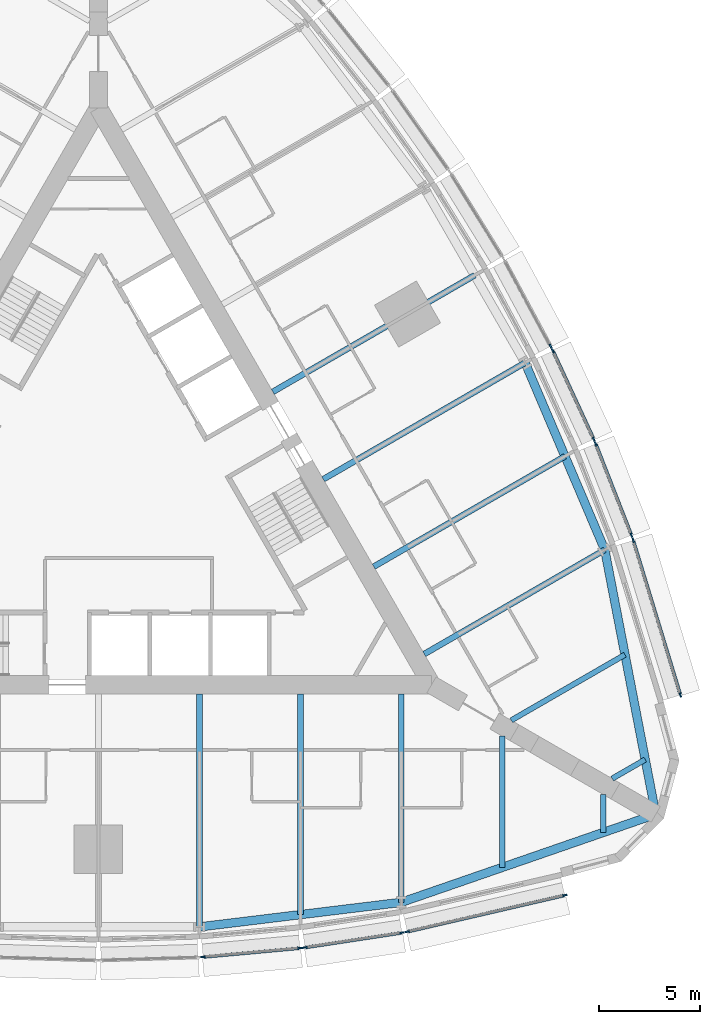
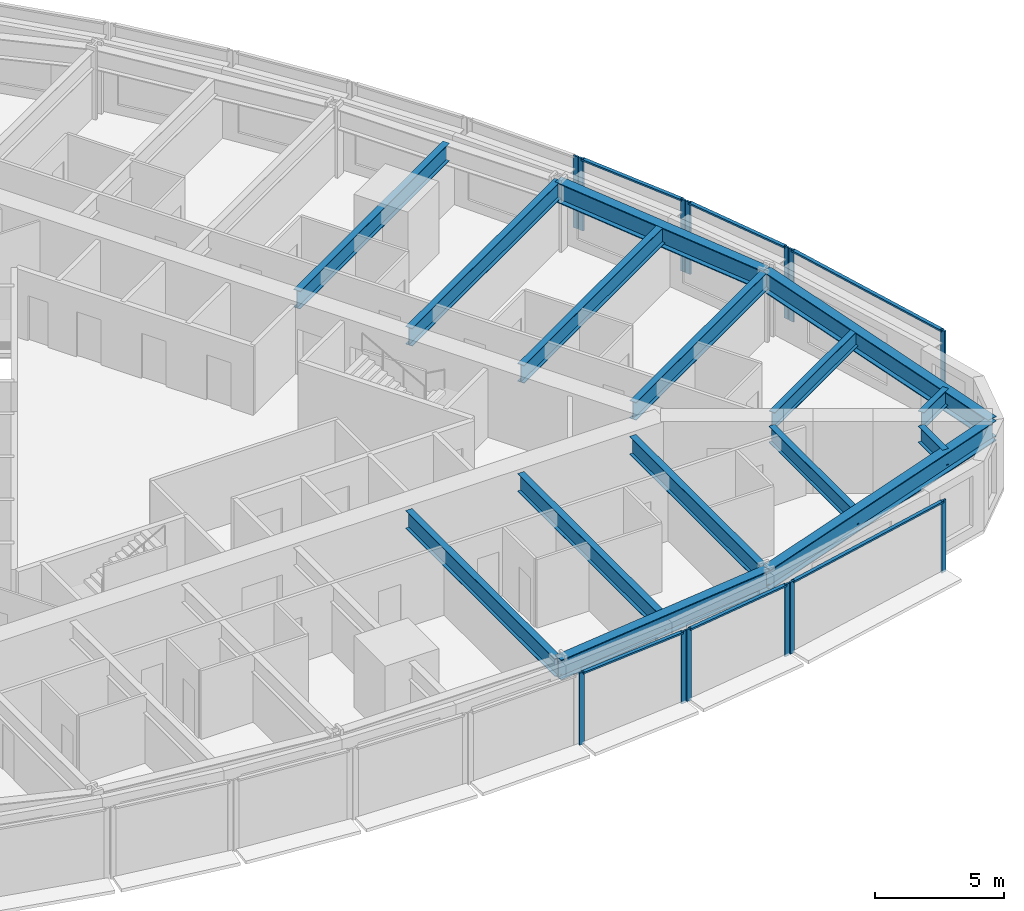
# One storey, part 3 of 14: 19 members, 15 beams, 7 elements without a shape of their own.
"""IFC4 building model written with IfcOpenShell, lengths in metres."""

from ifc_helpers import new_model, si_unit, direction, frame, origin, origin_2d, place, context, subcontext, project, spatial, rectangle, i_section, extrude, material, material_profile, profile_set, type_object, element, aggregate, save


model = new_model("IFC4")

# Units and contexts
model_context = context("Model", 3, precision=1e-05, world=origin(), true_north=direction((0.0, 1.0)))
body_context = subcontext(model_context, "Body", "Model", "MODEL_VIEW")
ifc_project = project(units=[si_unit("LENGTHUNIT", "METRE"), si_unit("AREAUNIT", "SQUARE_METRE"), si_unit("VOLUMEUNIT", "CUBIC_METRE"), si_unit("PLANEANGLEUNIT", "RADIAN"), si_unit("MASSUNIT", "GRAM", prefix="KILO")], contexts=[model_context])

# Site, building, storey
site_placement = place(None, origin())
site = spatial("IfcSite", under=ifc_project, at=site_placement, CompositionType="ELEMENT")
building_placement = place(site_placement, origin())
building = spatial("IfcBuilding", under=site, at=building_placement, Name="Trikona Tower", CompositionType="ELEMENT")
storey_placement = place(building_placement, frame((0.0, 0.0, 35.300048828125)))
storey = spatial("IfcBuildingStorey", under=building, at=storey_placement, Name="L07", CompositionType="ELEMENT", Elevation=35.300048828125)

# Curtain wall, members
ifc_material_1 = material(Name="Aluminium curtain wall system", Category="aluminium")
curtain_wall_type = type_object("IfcCurtainWallType", Name="Curtain wall DS1", PredefinedType="NOTDEFINED", material=ifc_material_1)
curtain_wall_1_placement = place(storey_placement, origin())
curtain_wall_1 = element("IfcCurtainWall", 1, at=curtain_wall_1_placement, inside=storey, type_object=curtain_wall_type, Name="Curtain wall DS1 L07", PredefinedType="NOTDEFINED")
ifc_material_2 = material(Name="Aluminium mullion, pale anodised", Category="aluminium")
ifc_material_profile_1 = material_profile(ifc_material_2, rectangle(XDim=0.080078125, YDim=0.219970703125, at=origin_2d()), Name="MUL-DS1")
ifc_profile_set_1 = profile_set([ifc_material_profile_1], Name="Aluminium mullion, pale anodised")
member_type_1 = type_object("IfcMemberType", Name="Mullion DS1 80x220", PredefinedType="MULLION", material=ifc_profile_set_1)
member_1_placement = place(storey_placement, frame((5.181396484375, -23.007568359375, 0.0), z_axis=(0.0, 0.0, 1.0), x_axis=(-0.090923932737, 0.995857840485, 0.0)))
member_1 = element("IfcMember", 2, at=member_1_placement, type_object=member_type_1, Name="CW-DS1 mullion 1", PredefinedType="MULLION", context=body_context, shape_type="SweptSolid", body=[
    extrude(rectangle(XDim=0.080078125, YDim=0.219970703125, at=origin_2d()), origin(), (0.0, 0.0, 1.0), 3.39990234375),
])
member_2_placement = place(storey_placement, frame((9.982177734375, -22.5693359375, 0.0), z_axis=(0.0, 0.0, 1.0), x_axis=(-0.090923932737, 0.995857840485, 0.0)))
member_2 = element("IfcMember", 3, at=member_2_placement, type_object=member_type_1, Name="CW-DS1 mullion 2", PredefinedType="MULLION", context=body_context, shape_type="SweptSolid", body=[
    extrude(rectangle(XDim=0.080078125, YDim=0.219970703125, at=origin_2d()), origin(), (0.0, 0.0, 1.0), 3.39990234375),
])

curtain_wall_2_placement = place(storey_placement, origin())
curtain_wall_2 = element("IfcCurtainWall", 4, at=curtain_wall_2_placement, inside=storey, type_object=curtain_wall_type, Name="Curtain wall DS1 L07", PredefinedType="NOTDEFINED")
member_3_placement = place(storey_placement, frame((10.234130859375, -22.53857421875, 0.0), z_axis=(0.0, 0.0, 1.0), x_axis=(-0.150437693845, 0.988619492156, 0.0)))
member_3 = element("IfcMember", 5, at=member_3_placement, type_object=member_type_1, Name="CW-DS1 mullion 1", PredefinedType="MULLION", context=body_context, shape_type="SweptSolid", body=[
    extrude(rectangle(XDim=0.080078125, YDim=0.219970703125, at=origin_2d()), origin(), (0.0, 0.0, 1.0), 3.39990234375),
])
member_4_placement = place(storey_placement, frame((15.03662109375, -21.807861328125, 0.0), z_axis=(0.0, 0.0, 1.0), x_axis=(-0.150437693845, 0.988619492156, 0.0)))
member_4 = element("IfcMember", 6, at=member_4_placement, type_object=member_type_1, Name="CW-DS1 mullion 2", PredefinedType="MULLION", context=body_context, shape_type="SweptSolid", body=[
    extrude(rectangle(XDim=0.080078125, YDim=0.219970703125, at=origin_2d()), origin(), (0.0, 0.0, 1.0), 3.39990234375),
])

curtain_wall_3_placement = place(storey_placement, origin())
curtain_wall_3 = element("IfcCurtainWall", 7, at=curtain_wall_3_placement, inside=storey, type_object=curtain_wall_type, Name="Curtain wall DS1 L07", PredefinedType="NOTDEFINED")
member_5_placement = place(storey_placement, frame((15.30029296875, -21.75732421875, 0.0), z_axis=(0.0, 0.0, 1.0), x_axis=(-0.225343288756, 0.974279427173, 0.0)))
member_5 = element("IfcMember", 8, at=member_5_placement, type_object=member_type_1, Name="CW-DS1 mullion 1", PredefinedType="MULLION", context=body_context, shape_type="SweptSolid", body=[
    extrude(rectangle(XDim=0.080078125, YDim=0.219970703125, at=origin_2d()), origin(), (0.0, 0.0, 1.0), 3.39990234375),
])
member_6_placement = place(storey_placement, frame((23.10546875, -19.951904296875, 0.0), z_axis=(0.0, 0.0, 1.0), x_axis=(-0.225343288756, 0.974279427173, 0.0)))
member_6 = element("IfcMember", 9, at=member_6_placement, type_object=member_type_1, Name="CW-DS1 mullion 2", PredefinedType="MULLION", context=body_context, shape_type="SweptSolid", body=[
    extrude(rectangle(XDim=0.080078125, YDim=0.219970703125, at=origin_2d()), origin(), (0.0, 0.0, 1.0), 3.39990234375),
])

curtain_wall_4_placement = place(storey_placement, origin())
curtain_wall_4 = element("IfcCurtainWall", 10, at=curtain_wall_4_placement, inside=storey, type_object=curtain_wall_type, Name="Curtain wall DS1 L07", PredefinedType="NOTDEFINED")
member_7_placement = place(storey_placement, frame((28.83154296875, -10.033935546875, 0.0), z_axis=(0.0, 0.0, 1.0), x_axis=(-0.956423115383, -0.291984287868, 0.0)))
member_7 = element("IfcMember", 11, at=member_7_placement, type_object=member_type_1, Name="CW-DS1 mullion 1", PredefinedType="MULLION", context=body_context, shape_type="SweptSolid", body=[
    extrude(rectangle(XDim=0.080078125, YDim=0.219970703125, at=origin_2d()), origin(), (0.0, 0.0, 1.0), 3.39990234375),
])
member_8_placement = place(storey_placement, frame((26.492431640625, -2.371826171875, 0.0), z_axis=(0.0, 0.0, 1.0), x_axis=(-0.956423115383, -0.291984287868, 0.0)))
member_8 = element("IfcMember", 12, at=member_8_placement, type_object=member_type_1, Name="CW-DS1 mullion 2", PredefinedType="MULLION", context=body_context, shape_type="SweptSolid", body=[
    extrude(rectangle(XDim=0.080078125, YDim=0.219970703125, at=origin_2d()), origin(), (0.0, 0.0, 1.0), 3.39990234375),
])

curtain_wall_5_placement = place(storey_placement, origin())
curtain_wall_5 = element("IfcCurtainWall", 13, at=curtain_wall_5_placement, inside=storey, type_object=curtain_wall_type, Name="Curtain wall DS1 L07", PredefinedType="NOTDEFINED")
member_9_placement = place(storey_placement, frame((26.404296875, -2.1181640625, 0.0), z_axis=(0.0, 0.0, 1.0), x_axis=(-0.931395989443, -0.36400756977, 0.0)))
member_9 = element("IfcMember", 14, at=member_9_placement, type_object=member_type_1, Name="CW-DS1 mullion 1", PredefinedType="MULLION", context=body_context, shape_type="SweptSolid", body=[
    extrude(rectangle(XDim=0.080078125, YDim=0.219970703125, at=origin_2d()), origin(), (0.0, 0.0, 1.0), 3.39990234375),
])
member_10_placement = place(storey_placement, frame((24.63623046875, 2.40625, 0.0), z_axis=(0.0, 0.0, 1.0), x_axis=(-0.931395989443, -0.36400756977, 0.0)))
member_10 = element("IfcMember", 15, at=member_10_placement, type_object=member_type_1, Name="CW-DS1 mullion 2", PredefinedType="MULLION", context=body_context, shape_type="SweptSolid", body=[
    extrude(rectangle(XDim=0.080078125, YDim=0.219970703125, at=origin_2d()), origin(), (0.0, 0.0, 1.0), 3.39990234375),
])

curtain_wall_6_placement = place(storey_placement, origin())
curtain_wall_6 = element("IfcCurtainWall", 16, at=curtain_wall_6_placement, inside=storey, type_object=curtain_wall_type, Name="Curtain wall DS1 L07", PredefinedType="NOTDEFINED")
member_11_placement = place(storey_placement, frame((24.53662109375, 2.6396484375, 0.0), z_axis=(0.0, 0.0, 1.0), x_axis=(-0.907898459992, -0.419190155352, 0.0)))
member_11 = element("IfcMember", 17, at=member_11_placement, type_object=member_type_1, Name="CW-DS1 mullion 1", PredefinedType="MULLION", context=body_context, shape_type="SweptSolid", body=[
    extrude(rectangle(XDim=0.080078125, YDim=0.219970703125, at=origin_2d()), origin(), (0.0, 0.0, 1.0), 3.39990234375),
])
member_12_placement = place(storey_placement, frame((22.515869140625, 7.0166015625, 0.0), z_axis=(0.0, 0.0, 1.0), x_axis=(-0.907898459992, -0.419190155352, 0.0)))
member_12 = element("IfcMember", 18, at=member_12_placement, type_object=member_type_1, Name="CW-DS1 mullion 2", PredefinedType="MULLION", context=body_context, shape_type="SweptSolid", body=[
    extrude(rectangle(XDim=0.080078125, YDim=0.219970703125, at=origin_2d()), origin(), (0.0, 0.0, 1.0), 3.39990234375),
])

# Curtain wall, member
curtain_wall_7_placement = place(storey_placement, origin())
curtain_wall_7 = element("IfcCurtainWall", 19, at=curtain_wall_7_placement, inside=storey, type_object=curtain_wall_type, Name="Curtain wall DS1 L07", PredefinedType="NOTDEFINED")
member_13_placement = place(storey_placement, frame((22.402099609375, 7.244140625, 0.0), z_axis=(0.0, 0.0, 1.0), x_axis=(-0.880843080975, -0.473408350896, 0.0)))
member_13 = element("IfcMember", 20, at=member_13_placement, type_object=member_type_1, Name="CW-DS1 mullion 1", PredefinedType="MULLION", context=body_context, shape_type="SweptSolid", body=[
    extrude(rectangle(XDim=0.080078125, YDim=0.219970703125, at=origin_2d()), origin(), (0.0, 0.0, 1.0), 3.39990234375),
])
aggregate(curtain_wall_7, [member_13])

# Beams
ifc_material_3 = material(Name="Steel ASTM A992 Grade 50", Category="steel")
ifc_material_profile_2 = material_profile(ifc_material_3, i_section(OverallWidth=0.2666015625, OverallDepth=0.76953125, WebThickness=0.015625, FlangeThickness=0.025390625, at=origin_2d()), Name="W30X132")
ifc_profile_set_2 = profile_set([ifc_material_profile_2], Name="Steel ASTM A992 Grade 50")
beam_type_1 = type_object("IfcBeamType", Name="Steel beam W30x132 (wedge)", PredefinedType="BEAM", material=ifc_profile_set_2)
beam_1_placement = place(storey_placement, frame((20.0, -12.066650390625, 2.85009765625), z_axis=(0.0, -1.0, 0.0), x_axis=(1.0, 0.0, 0.0)))
element("IfcBeam", 21, at=beam_1_placement, inside=storey, type_object=beam_type_1, Name="Floor beam L08 F1 u20", PredefinedType="BEAM", context=body_context, shape_type="SweptSolid", body=[
    extrude(i_section(OverallWidth=0.2666015625, OverallDepth=0.76953125, WebThickness=0.015625, FlangeThickness=0.025390625, at=origin_2d()), origin(), (0.0, 0.0, 1.0), 6.5068359375),
])
for number, where, z_axis, x_axis, name in (
    (22, (25.0, -14.953369140625, 2.85009765625), (0.0, -1.0, 0.0), (1.0, 0.0, 0.0), "Floor beam L08 F1 u25"),
    (23, (25.449951171875, -14.173828125, 2.85009765625), (0.866065156741, 0.499931139538, 0.0), (-0.499931139538, 0.866065156741, 0.0), "Floor beam L08 F2 u-25"),
):
    element("IfcBeam", number, at=place(storey_placement, frame(where, z_axis=z_axis, x_axis=x_axis)), inside=storey, type_object=beam_type_1, Name=name, PredefinedType="BEAM", context=body_context, shape_type="SweptSolid", body=[
        extrude(i_section(OverallWidth=0.2666015625, OverallDepth=0.76953125, WebThickness=0.015625, FlangeThickness=0.025390625, at=origin_2d()), origin(), (0.0, 0.0, 1.0), 1.890380859375),
    ])
beam_2_placement = place(storey_placement, frame((20.449951171875, -11.287109375, 2.85009765625), z_axis=(0.866022504693, 0.50000502134, 0.0), x_axis=(-0.50000502134, 0.866022504693, 0.0)))
element("IfcBeam", 24, at=beam_2_placement, inside=storey, type_object=beam_type_1, Name="Floor beam L08 F2 u-20", PredefinedType="BEAM", context=body_context, shape_type="SweptSolid", body=[
    extrude(i_section(OverallWidth=0.2666015625, OverallDepth=0.76953125, WebThickness=0.015625, FlangeThickness=0.025390625, at=origin_2d()), origin(), (0.0, 0.0, 1.0), 6.5068359375),
])
ifc_material_4 = material(Name="Steel ASTM A992 Grade 50", Category="steel")
ifc_material_profile_3 = material_profile(ifc_material_4, i_section(OverallWidth=0.2919921875, OverallDepth=0.845703125, WebThickness=0.015380859375, FlangeThickness=0.0244140625, at=origin_2d()), Name="W33X141")
ifc_profile_set_3 = profile_set([ifc_material_profile_3], Name="Steel ASTM A992 Grade 50")
beam_type_2 = type_object("IfcBeamType", Name="Steel beam W33x141 (radial typ)", PredefinedType="BEAM", material=ifc_profile_set_3)
beam_3_placement = place(storey_placement, frame((5.0, -9.976318359375, 2.81201171875), z_axis=(0.0, -1.0, 0.0), x_axis=(1.0, 0.0, 0.0)))
element("IfcBeam", 25, at=beam_3_placement, inside=storey, type_object=beam_type_2, Name="Floor beam L08 F1 u5", PredefinedType="BEAM", context=body_context, shape_type="SweptSolid", body=[
    extrude(i_section(OverallWidth=0.2919921875, OverallDepth=0.845703125, WebThickness=0.015380859375, FlangeThickness=0.0244140625, at=origin_2d()), origin(), (0.0, 0.0, 1.0), 11.544189453125),
])
beam_4_placement = place(storey_placement, frame((10.0, -9.976318359375, 2.81201171875), z_axis=(0.0, -1.0, 0.0), x_axis=(1.0, 0.0, 0.0)))
element("IfcBeam", 26, at=beam_4_placement, inside=storey, type_object=beam_type_2, Name="Floor beam L08 F1 u10", PredefinedType="BEAM", context=body_context, shape_type="SweptSolid", body=[
    extrude(i_section(OverallWidth=0.2919921875, OverallDepth=0.845703125, WebThickness=0.015380859375, FlangeThickness=0.0244140625, at=origin_2d()), origin(), (0.0, 0.0, 1.0), 10.935302734375),
])
beam_5_placement = place(storey_placement, frame((15.0, -9.976318359375, 2.81201171875), z_axis=(0.0, -1.0, 0.0), x_axis=(1.0, 0.0, 0.0)))
element("IfcBeam", 27, at=beam_5_placement, inside=storey, type_object=beam_type_2, Name="Floor beam L08 F1 u15", PredefinedType="BEAM", context=body_context, shape_type="SweptSolid", body=[
    extrude(i_section(OverallWidth=0.2919921875, OverallDepth=0.845703125, WebThickness=0.015380859375, FlangeThickness=0.0244140625, at=origin_2d()), origin(), (0.0, 0.0, 1.0), 10.32666015625),
])
beam_6_placement = place(storey_placement, frame((16.1396484375, -8.002197265625, 2.81201171875), z_axis=(0.866030471684, 0.499991222037, 0.0), x_axis=(-0.499991222037, 0.866030471684, 0.0)))
element("IfcBeam", 28, at=beam_6_placement, inside=storey, type_object=beam_type_2, Name="Floor beam L08 F2 u-15", PredefinedType="BEAM", context=body_context, shape_type="SweptSolid", body=[
    extrude(i_section(OverallWidth=0.2919921875, OverallDepth=0.845703125, WebThickness=0.015380859375, FlangeThickness=0.0244140625, at=origin_2d()), origin(), (0.0, 0.0, 1.0), 10.326904296875),
])
beam_7_placement = place(storey_placement, frame((13.6396484375, -3.672119140625, 2.81201171875), z_axis=(0.866025348605, 0.500000095573, 0.0), x_axis=(-0.500000095573, 0.866025348605, 0.0)))
element("IfcBeam", 29, at=beam_7_placement, inside=storey, type_object=beam_type_2, Name="Floor beam L08 F2 u-10", PredefinedType="BEAM", context=body_context, shape_type="SweptSolid", body=[
    extrude(i_section(OverallWidth=0.2919921875, OverallDepth=0.845703125, WebThickness=0.015380859375, FlangeThickness=0.0244140625, at=origin_2d()), origin(), (0.0, 0.0, 1.0), 10.935546875),
])
for number, where, z_axis, x_axis, name in (
    (30, (11.1396484375, 0.657958984375, 2.81201171875), (0.866020765707, 0.500008033299, 0.0), (-0.500008033299, 0.866020765707, 0.0), "Floor beam L08 F2 u-5"),
    (31, (8.6396484375, 4.988037109375, 2.81201171875), (0.866020765707, 0.500008033299, 0.0), (-0.500008033299, 0.866020765707, 0.0), "Floor beam L08 F2 u0"),
):
    element("IfcBeam", number, at=place(storey_placement, frame(where, z_axis=z_axis, x_axis=x_axis)), inside=storey, type_object=beam_type_2, Name=name, PredefinedType="BEAM", context=body_context, shape_type="SweptSolid", body=[
        extrude(i_section(OverallWidth=0.2919921875, OverallDepth=0.845703125, WebThickness=0.015380859375, FlangeThickness=0.0244140625, at=origin_2d()), origin(), (0.0, 0.0, 1.0), 11.544189453125),
    ])
ifc_material_5 = material(Name="Steel ASTM A992 Grade 50", Category="steel")
ifc_material_profile_4 = material_profile(ifc_material_5, i_section(OverallWidth=0.424072265625, OverallDepth=0.947509765625, WebThickness=0.02392578125, FlangeThickness=0.042724609375, at=origin_2d()), Name="W36X302")
ifc_profile_set_4 = profile_set([ifc_material_profile_4], Name="Steel ASTM A992 Grade 50")
beam_type_3 = type_object("IfcBeamType", Name="Steel beam W36x302 (spandrel)", PredefinedType="SPANDREL", material=ifc_profile_set_4)
beam_8_placement = place(storey_placement, frame((5.0, -21.5205078125, 2.76123046875), z_axis=(0.99266951126, 0.120860421207, 0.0), x_axis=(-0.120860421207, 0.99266951126, 0.0)))
element("IfcBeam", 32, at=beam_8_placement, inside=storey, type_object=beam_type_3, Name="Spandrel beam L08 F1-4", PredefinedType="SPANDREL", context=body_context, shape_type="SweptSolid", body=[
    extrude(i_section(OverallWidth=0.424072265625, OverallDepth=0.947509765625, WebThickness=0.02392578125, FlangeThickness=0.042724609375, at=origin_2d()), origin(), (0.0, 0.0, 1.0), 10.07373046875),
])
for number, where, z_axis, x_axis, name in (
    (33, (15.0, -20.302978515625, 2.76123046875), (0.945056965739, 0.326905692071, 0.0), (-0.326905692071, 0.945056965739, 0.0), "Spandrel beam L08 F1-5"),
    (34, (27.6103515625, -15.94091796875, 2.76123046875), (-0.189405184036, 0.981899015307, 0.0), (-0.981899015307, -0.189405184036, 0.0), "Spandrel beam L08 F2-1"),
):
    element("IfcBeam", number, at=place(storey_placement, frame(where, z_axis=z_axis, x_axis=x_axis)), inside=storey, type_object=beam_type_3, Name=name, PredefinedType="SPANDREL", context=body_context, shape_type="SweptSolid", body=[
        extrude(i_section(OverallWidth=0.424072265625, OverallDepth=0.947509765625, WebThickness=0.02392578125, FlangeThickness=0.042724609375, at=origin_2d()), origin(), (0.0, 0.0, 1.0), 13.343505859375),
    ])
beam_9_placement = place(storey_placement, frame((25.0830078125, -2.8388671875, 2.76123046875), z_axis=(-0.391683514847, 0.920100007715, 0.0), x_axis=(-0.920100007715, -0.391683514847, 0.0)))
element("IfcBeam", 35, at=beam_9_placement, inside=storey, type_object=beam_type_3, Name="Spandrel beam L08 F2-2", PredefinedType="SPANDREL", context=body_context, shape_type="SweptSolid", body=[
    extrude(i_section(OverallWidth=0.424072265625, OverallDepth=0.947509765625, WebThickness=0.02392578125, FlangeThickness=0.042724609375, at=origin_2d()), origin(), (0.0, 0.0, 1.0), 10.073974609375),
])

# Member
ifc_material_6 = material(Name="Aluminium transom, pale anodised", Category="aluminium")
ifc_material_profile_5 = material_profile(ifc_material_6, rectangle(XDim=0.159912109375, YDim=0.080078125, at=origin_2d()), Name="TRN-DS1")
ifc_profile_set_5 = profile_set([ifc_material_profile_5], Name="Aluminium transom, pale anodised")
member_type_2 = type_object("IfcMemberType", Name="Transom DS1 80x160", PredefinedType="USERDEFINED", material=ifc_profile_set_5)
member_14_placement = place(storey_placement, frame((5.22119140625, -23.00390625, 3.35986328125), z_axis=(0.995855977008, 0.090944340438, 0.0), x_axis=(-0.090944340438, 0.995855977008, 0.0)))
member_14 = element("IfcMember", 36, at=member_14_placement, type_object=member_type_2, Name="CW-DS1 transom 1.1", ObjectType="TRANSOM", PredefinedType="USERDEFINED", context=body_context, shape_type="SweptSolid", body=[
    extrude(rectangle(XDim=0.159912109375, YDim=0.080078125, at=origin_2d()), origin(), (0.0, 0.0, 1.0), 4.74072265625),
])

aggregate(curtain_wall_1, [member_1, member_2, member_14])

member_15_placement = place(storey_placement, frame((10.273681640625, -22.532470703125, 3.35986328125), z_axis=(0.988619663412, 0.150436568413, 0.0), x_axis=(-0.150436568413, 0.988619663412, 0.0)))
member_15 = element("IfcMember", 37, at=member_15_placement, type_object=member_type_2, Name="CW-DS1 transom 1.1", ObjectType="TRANSOM", PredefinedType="USERDEFINED", context=body_context, shape_type="SweptSolid", body=[
    extrude(rectangle(XDim=0.159912109375, YDim=0.080078125, at=origin_2d()), origin(), (0.0, 0.0, 1.0), 4.77783203125),
])

aggregate(curtain_wall_2, [member_3, member_4, member_15])

member_16_placement = place(storey_placement, frame((15.33935546875, -21.748291015625, 3.35986328125), z_axis=(0.974275371842, 0.225360821398, 0.0), x_axis=(-0.225360821398, 0.974275371842, 0.0)))
member_16 = element("IfcMember", 38, at=member_16_placement, type_object=member_type_2, Name="CW-DS1 transom 1.1", ObjectType="TRANSOM", PredefinedType="USERDEFINED", context=body_context, shape_type="SweptSolid", body=[
    extrude(rectangle(XDim=0.159912109375, YDim=0.080078125, at=origin_2d()), origin(), (0.0, 0.0, 1.0), 7.93115234375),
])

aggregate(curtain_wall_3, [member_5, member_6, member_16])

member_17_placement = place(storey_placement, frame((28.81982421875, -9.99560546875, 3.35986328125), z_axis=(-0.291967490203, 0.956428243343, 0.0), x_axis=(-0.956428243343, -0.291967490203, 0.0)))
member_17 = element("IfcMember", 39, at=member_17_placement, type_object=member_type_2, Name="CW-DS1 transom 1.1", ObjectType="TRANSOM", PredefinedType="USERDEFINED", context=body_context, shape_type="SweptSolid", body=[
    extrude(rectangle(XDim=0.159912109375, YDim=0.080078125, at=origin_2d()), origin(), (0.0, 0.0, 1.0), 7.93115234375),
])

aggregate(curtain_wall_4, [member_7, member_8, member_17])

member_18_placement = place(storey_placement, frame((26.389892578125, -2.080810546875, 3.35986328125), z_axis=(-0.364048647668, 0.931379934362, 0.0), x_axis=(-0.931379934362, -0.364048647668, 0.0)))
member_18 = element("IfcMember", 40, at=member_18_placement, type_object=member_type_2, Name="CW-DS1 transom 1.1", ObjectType="TRANSOM", PredefinedType="USERDEFINED", context=body_context, shape_type="SweptSolid", body=[
    extrude(rectangle(XDim=0.159912109375, YDim=0.080078125, at=origin_2d()), origin(), (0.0, 0.0, 1.0), 4.777587890625),
])

aggregate(curtain_wall_5, [member_9, member_10, member_18])

member_19_placement = place(storey_placement, frame((24.52001953125, 2.676025390625, 3.35986328125), z_axis=(-0.419188800665, 0.90789908547, 0.0), x_axis=(-0.90789908547, -0.419188800665, 0.0)))
member_19 = element("IfcMember", 41, at=member_19_placement, type_object=member_type_2, Name="CW-DS1 transom 1.1", ObjectType="TRANSOM", PredefinedType="USERDEFINED", context=body_context, shape_type="SweptSolid", body=[
    extrude(rectangle(XDim=0.159912109375, YDim=0.080078125, at=origin_2d()), origin(), (0.0, 0.0, 1.0), 4.74072265625),
])

aggregate(curtain_wall_6, [member_11, member_12, member_19])

save(model, "model.ifc")
